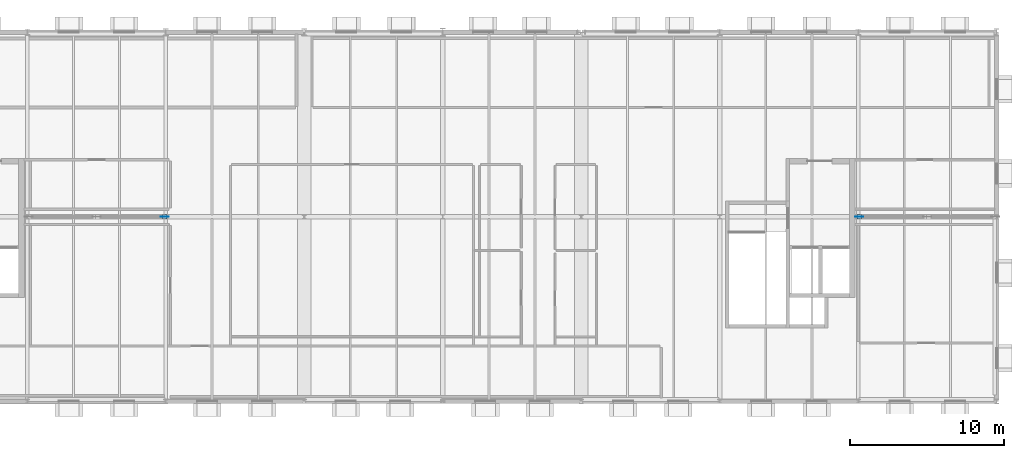
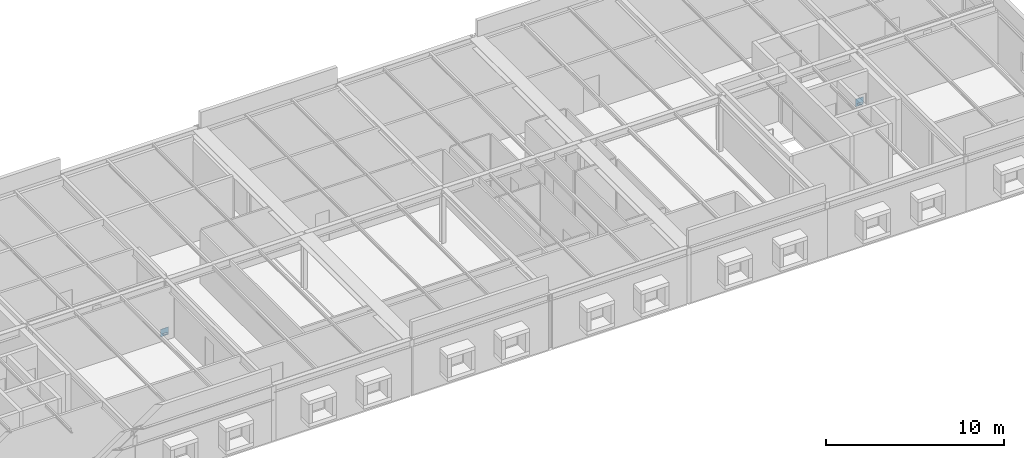
# One storey, part 9 of 16: 4 plates.
"""IFC4 building model written with IfcOpenShell, lengths in metres."""

from ifc_helpers import new_model, si_unit, direction, frame, origin, origin_2d, place, context, subcontext, project, spatial, rectangle, extrude, material, layer, layer_set, type_object, element, save


model = new_model("IFC4")

# Units and contexts
model_context = context("Model", 3, precision=1e-05, world=origin(), true_north=direction((0.0, 1.0)))
body_context = subcontext(model_context, "Body", "Model", "MODEL_VIEW")
ifc_project = project(units=[si_unit("LENGTHUNIT", "METRE"), si_unit("AREAUNIT", "SQUARE_METRE"), si_unit("VOLUMEUNIT", "CUBIC_METRE"), si_unit("PLANEANGLEUNIT", "RADIAN"), si_unit("MASSUNIT", "GRAM", prefix="KILO")], contexts=[model_context])

# Site, building, storey
site_placement = place(None, origin())
site = spatial("IfcSite", under=ifc_project, at=site_placement, CompositionType="ELEMENT")
building_placement = place(site_placement, origin())
building = spatial("IfcBuilding", under=site, at=building_placement, Name="Montelvaro Courts of Justice", CompositionType="ELEMENT")
storey_placement = place(building_placement, frame((0.0, 0.0, 35.39990234375)))
storey = spatial("IfcBuildingStorey", under=building, at=storey_placement, Name="L08", CompositionType="ELEMENT", Elevation=35.39990234375)

# Plates
ifc_material = material(Name="Steel S355", Category="steel")
ifc_layer_1 = layer(ifc_material, 0.011962890625)
ifc_layer_set_1 = layer_set([ifc_layer_1], Name="Steel S355")
plate_type_1 = type_object("IfcPlateType", Name="EndCapPlate_12", PredefinedType="USERDEFINED", material=ifc_layer_set_1)
for number, where, z_axis, x_axis, name in (
    (1, (71.919921875, 12.0, 0.07421875), (0.0, 0.0, 1.0), (1.0, 0.0, 0.0), "Brace End Cap Plate CP-01 CBF1-L08-2A"),
    (2, (117.080078125, 12.0, 0.07421875), (0.0, 0.0, 1.0), (1.0, 0.0, 0.0), "Brace End Cap Plate CP-01 CBF2-L08-1A"),
):
    element("IfcPlate", number, at=place(storey_placement, frame(where, z_axis=z_axis, x_axis=x_axis)), inside=storey, type_object=plate_type_1, Name=name, ObjectType="GUSSET PLATE", PredefinedType="USERDEFINED", context=body_context, shape_type="SweptSolid", body=[
        extrude(rectangle(XDim=0.300048828125, YDim=0.300048828125, at=origin_2d()), origin(), (0.0, 0.0, 1.0), 0.011962890625),
    ])
ifc_layer_2 = layer(ifc_material, 0.02001953125)
ifc_layer_set_2 = layer_set([ifc_layer_2], Name="Steel S355")
plate_type_2 = type_object("IfcPlateType", Name="GussetPlate_20", PredefinedType="USERDEFINED", material=ifc_layer_set_2)
for number, where, z_axis, x_axis, name in (
    (3, (71.919921875, 12.0, -0.099853515625), (0.0, 0.0, 1.0), (1.0, 0.0, 0.0), "Chevron Brace Base Gusset Plate GP-01 CBF1-L08-B2"),
    (4, (117.080078125, 12.0, -0.099853515625), (0.0, 0.0, 1.0), (1.0, 0.0, 0.0), "Chevron Brace Base Gusset Plate GP-01 CBF2-L08-B1"),
):
    element("IfcPlate", number, at=place(storey_placement, frame(where, z_axis=z_axis, x_axis=x_axis)), inside=storey, type_object=plate_type_2, Name=name, ObjectType="GUSSET PLATE", PredefinedType="USERDEFINED", context=body_context, shape_type="SweptSolid", body=[
        extrude(rectangle(XDim=0.52001953125, YDim=0.02001953125, at=origin_2d()), origin(), (0.0, 0.0, 1.0), 0.52001953125),
    ])

save(model, "model.ifc")
